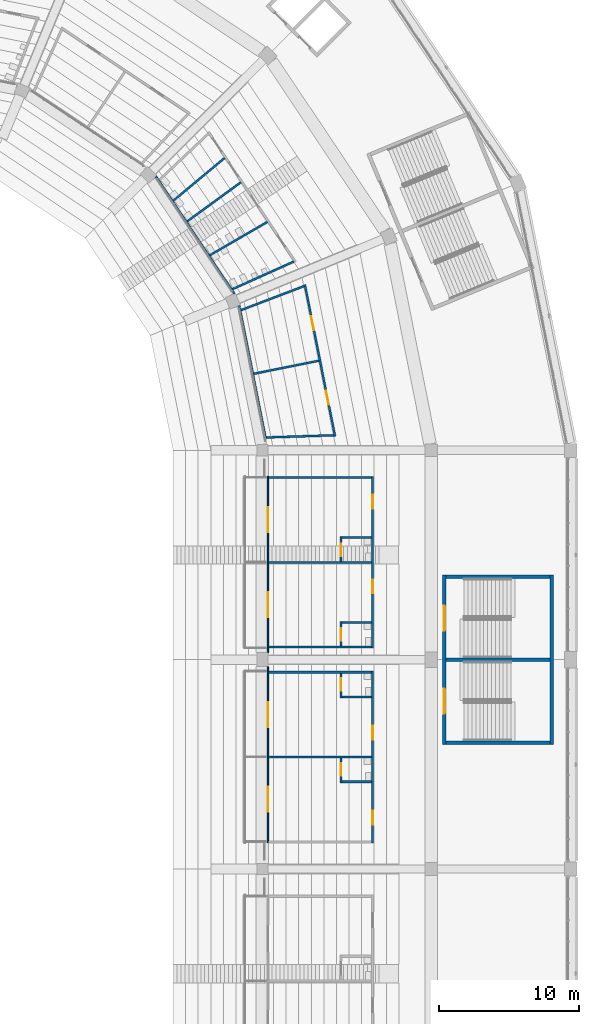
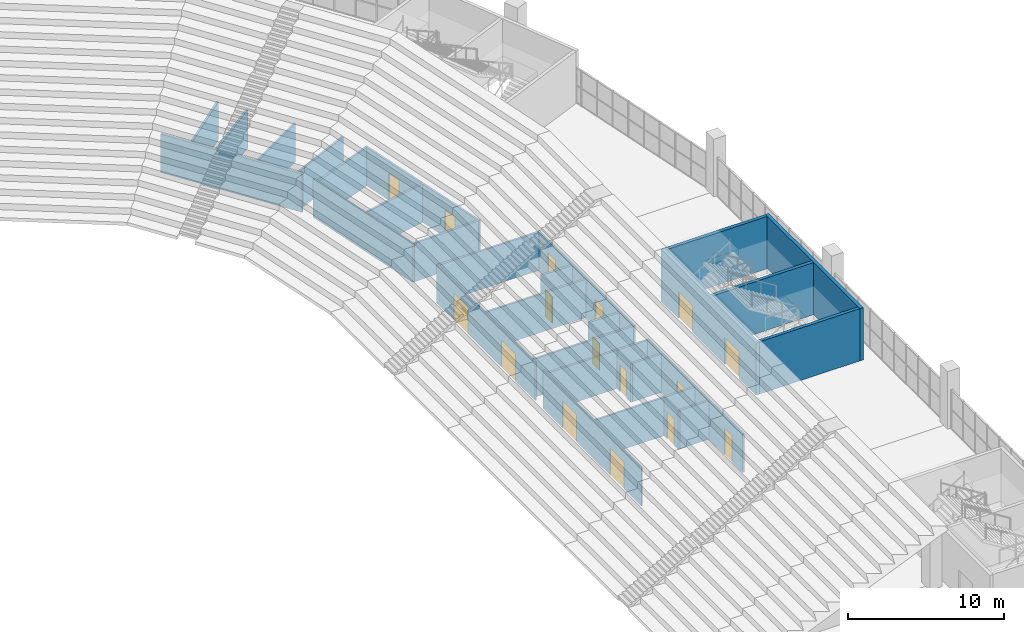
# One storey, part 98 of 249: 32 walls, 16 doors, 16 openings.
"""IFC4 building model written with IfcOpenShell, lengths in metres."""

from ifc_helpers import new_model, si_unit, direction, frame, frame_2d, origin, place, context, subcontext, project, spatial, rectangle, extrude, material, layer, layer_set, type_object, element, fill, save


model = new_model("IFC4")

# Units and contexts
model_context = context("Model", 3, precision=1e-05, world=origin(), true_north=direction((0.0, 1.0)))
body_context = subcontext(model_context, "Body", "Model", "MODEL_VIEW")
ifc_project = project(units=[si_unit("LENGTHUNIT", "METRE"), si_unit("AREAUNIT", "SQUARE_METRE"), si_unit("VOLUMEUNIT", "CUBIC_METRE"), si_unit("PLANEANGLEUNIT", "RADIAN"), si_unit("MASSUNIT", "GRAM", prefix="KILO")], contexts=[model_context])

# Site, building, storey
site_placement = place(None, origin())
site = spatial("IfcSite", under=ifc_project, at=site_placement, CompositionType="ELEMENT")
building_placement = place(site_placement, origin())
building = spatial("IfcBuilding", under=site, at=building_placement, Name="Ogive Plaza Stadium", CompositionType="ELEMENT")
storey_placement = place(building_placement, frame((0.0, 0.0, 13.5)))
storey = spatial("IfcBuildingStorey", under=building, at=storey_placement, Name="L03", CompositionType="ELEMENT", Elevation=13.5)

# Wall, openings, doors
ifc_material_1 = material(Name="Masonry blockwork", Category="masonry")
ifc_layer_1 = layer(ifc_material_1, 0.14990234375)
ifc_layer_set_1 = layer_set([ifc_layer_1], Name="Blockwork wall 150")
wall_type_1 = type_object("IfcWallType", Name="Blockwork wall 150", PredefinedType="SOLIDWALL", material=ifc_layer_set_1)
wall_1_placement = place(storey_placement, frame((69.800048828125, 38.324951171875, 0.0), z_axis=(0.0, 0.0, 1.0), x_axis=(0.0, 1.0, 0.0)))
wall_1 = element("IfcWall", 1, at=wall_1_placement, inside=storey, type_object=wall_type_1, Name="Wall L03 B01", PredefinedType="SOLIDWALL", context=body_context, shape_type="SweptSolid", body=[
    extrude(rectangle(XDim=12.300048828125, YDim=0.14990234375, at=frame_2d((6.14990234375, 0.0))), origin(), (0.0, 0.0, 1.0), 3.0),
])
opening_1_placement = place(wall_1_placement, frame((3.916015625, 0.0, 0.0)))
opening_1 = element("IfcOpeningElement", 2, at=opening_1_placement, cuts=wall_1, Name="Opening D0749", PredefinedType="OPENING", context=body_context, shape_type="SweptSolid", body=[
    extrude(rectangle(XDim=1.0, YDim=2.10009765625, at=frame_2d((0.5, 1.050048828125))), frame((0.0, 0.074951171875, 0.0), z_axis=(0.0, -1.0, 0.0), x_axis=(1.0, 0.0, 0.0)), (0.0, 0.0, 1.0), 0.14990234375),
])
opening_2_placement = place(wall_1_placement, frame((9.990966796875, 0.0, 0.0)))
opening_2 = element("IfcOpeningElement", 3, at=opening_2_placement, cuts=wall_1, Name="Opening D0750", PredefinedType="OPENING", context=body_context, shape_type="SweptSolid", body=[
    extrude(rectangle(XDim=1.0, YDim=2.10009765625, at=frame_2d((0.5, 1.050048828125))), frame((0.0, 0.074951171875, 0.0), z_axis=(0.0, -1.0, 0.0), x_axis=(1.0, 0.0, 0.0)), (0.0, 0.0, 1.0), 0.14990234375),
])
ifc_material_2 = material(Name="Steel ASTM A572 Grade 50", Category="steel")
door_type_1 = type_object("IfcDoorType", Name="Fire door FD30S 1000 x 2100", OperationType="SINGLE_SWING_LEFT", PredefinedType="DOOR", material=ifc_material_2)
door_1_placement = place(opening_1_placement, origin())
door_1 = element("IfcDoor", 4, at=door_1_placement, inside=storey, type_object=door_type_1, Name="Hospitality Suite B01 door", OperationType="SINGLE_SWING_LEFT", OverallHeight=2.10009765625, OverallWidth=1.0, PredefinedType="DOOR", context=body_context, shape_type="SweptSolid", body=[
    extrude(rectangle(XDim=1.0, YDim=2.10009765625, at=frame_2d((0.5, 1.050048828125))), frame((0.0, 0.02490234375, 0.0), z_axis=(0.0, -1.0, 0.0), x_axis=(1.0, 0.0, 0.0)), (0.0, 0.0, 1.0), 0.050048828125),
])
fill(opening_1, door_1)
door_2_placement = place(opening_2_placement, origin())
door_2 = element("IfcDoor", 5, at=door_2_placement, inside=storey, type_object=door_type_1, Name="Hospitality Suite B01 door", OperationType="SINGLE_SWING_LEFT", OverallHeight=2.10009765625, OverallWidth=1.0, PredefinedType="DOOR", context=body_context, shape_type="SweptSolid", body=[
    extrude(rectangle(XDim=1.0, YDim=2.10009765625, at=frame_2d((0.5, 1.050048828125))), frame((0.0, 0.02490234375, 0.0), z_axis=(0.0, -1.0, 0.0), x_axis=(1.0, 0.0, 0.0)), (0.0, 0.0, 1.0), 0.050048828125),
])
fill(opening_2, door_2)

# Walls
for number, where, z_axis, x_axis, name in (
    (6, (62.35009765625, 38.39990234375, 0.0), (0.0, 0.0, 1.0), (1.0, 0.0, 0.0), "Wall L03 B01"),
    (7, (62.35009765625, 44.47509765625, 0.0), (0.0, 0.0, 1.0), (1.0, 0.0, 0.0), "Wall L03 B01"),
    (8, (62.35009765625, 50.550048828125, 0.0), (0.0, 0.0, 1.0), (1.0, 0.0, 0.0), "Wall L03 B01"),
):
    element("IfcWall", number, at=place(storey_placement, frame(where, z_axis=z_axis, x_axis=x_axis)), inside=storey, type_object=wall_type_1, Name=name, PredefinedType="SOLIDWALL", context=body_context, shape_type="SweptSolid", body=[
        extrude(rectangle(XDim=7.375, YDim=0.14990234375, at=frame_2d((3.6875, 0.0))), origin(), (0.0, 0.0, 1.0), 3.0),
    ])

# Wall, openings, doors
wall_2_placement = place(storey_placement, frame((69.800048828125, 36.675048828125, 0.0), z_axis=(0.0, 0.0, 1.0), x_axis=(0.0, -1.0, 0.0)))
wall_2 = element("IfcWall", 9, at=wall_2_placement, inside=storey, type_object=wall_type_1, Name="Wall L03 B02", PredefinedType="SOLIDWALL", context=body_context, shape_type="SweptSolid", body=[
    extrude(rectangle(XDim=12.300048828125, YDim=0.14990234375, at=frame_2d((6.14990234375, 0.0))), origin(), (0.0, 0.0, 1.0), 3.0),
])
opening_3_placement = place(wall_2_placement, frame((3.916015625, 0.0, 0.0)))
opening_3 = element("IfcOpeningElement", 10, at=opening_3_placement, cuts=wall_2, Name="Opening D0755", PredefinedType="OPENING", context=body_context, shape_type="SweptSolid", body=[
    extrude(rectangle(XDim=1.0, YDim=2.10009765625, at=frame_2d((0.5, 1.050048828125))), frame((0.0, 0.074951171875, 0.0), z_axis=(0.0, -1.0, 0.0), x_axis=(1.0, 0.0, 0.0)), (0.0, 0.0, 1.0), 0.14990234375),
])
opening_4_placement = place(wall_2_placement, frame((9.990966796875, 0.0, 0.0)))
opening_4 = element("IfcOpeningElement", 11, at=opening_4_placement, cuts=wall_2, Name="Opening D0756", PredefinedType="OPENING", context=body_context, shape_type="SweptSolid", body=[
    extrude(rectangle(XDim=1.0, YDim=2.10009765625, at=frame_2d((0.5, 1.050048828125))), frame((0.0, 0.074951171875, 0.0), z_axis=(0.0, -1.0, 0.0), x_axis=(1.0, 0.0, 0.0)), (0.0, 0.0, 1.0), 0.14990234375),
])
door_3_placement = place(opening_3_placement, origin())
door_3 = element("IfcDoor", 12, at=door_3_placement, inside=storey, type_object=door_type_1, Name="Hospitality Suite B02 door", OperationType="SINGLE_SWING_RIGHT", OverallHeight=2.10009765625, OverallWidth=1.0, PredefinedType="DOOR", context=body_context, shape_type="SweptSolid", body=[
    extrude(rectangle(XDim=1.0, YDim=2.10009765625, at=frame_2d((0.5, 1.050048828125))), frame((0.0, 0.02490234375, 0.0), z_axis=(0.0, -1.0, 0.0), x_axis=(1.0, 0.0, 0.0)), (0.0, 0.0, 1.0), 0.050048828125),
])
fill(opening_3, door_3)
door_4_placement = place(opening_4_placement, origin())
door_4 = element("IfcDoor", 13, at=door_4_placement, inside=storey, type_object=door_type_1, Name="Hospitality Suite B02 door", OperationType="SINGLE_SWING_RIGHT", OverallHeight=2.10009765625, OverallWidth=1.0, PredefinedType="DOOR", context=body_context, shape_type="SweptSolid", body=[
    extrude(rectangle(XDim=1.0, YDim=2.10009765625, at=frame_2d((0.5, 1.050048828125))), frame((0.0, 0.02490234375, 0.0), z_axis=(0.0, -1.0, 0.0), x_axis=(1.0, 0.0, 0.0)), (0.0, 0.0, 1.0), 0.050048828125),
])
fill(opening_4, door_4)

# Walls
for number, where, z_axis, x_axis, name in (
    (14, (62.35009765625, 36.60009765625, 0.0), (0.0, 0.0, 1.0), (1.0, 0.0, 0.0), "Wall L03 B02"),
    (15, (62.35009765625, 30.52490234375, 0.0), (0.0, 0.0, 1.0), (1.0, 0.0, 0.0), "Wall L03 B02"),
):
    element("IfcWall", number, at=place(storey_placement, frame(where, z_axis=z_axis, x_axis=x_axis)), inside=storey, type_object=wall_type_1, Name=name, PredefinedType="SOLIDWALL", context=body_context, shape_type="SweptSolid", body=[
        extrude(rectangle(XDim=7.375, YDim=0.14990234375, at=frame_2d((3.6875, 0.0))), origin(), (0.0, 0.0, 1.0), 3.0),
    ])
wall_3_placement = place(storey_placement, frame((60.2353515625, 62.8798828125, 0.0), z_axis=(0.0, 0.0, 1.0), x_axis=(0.19508210738, -0.98078691436, 0.0)))
element("IfcWall", 16, at=wall_3_placement, inside=storey, type_object=wall_type_1, Name="Wall L03 B40", PredefinedType="SOLIDWALL", context=body_context, shape_type="SweptSolid", body=[
    extrude(rectangle(XDim=9.7177734375, YDim=0.14990234375, at=frame_2d((4.85888671875, 0.0))), origin(), (0.0, 0.0, 1.0), 3.0),
])

# Wall, openings, doors
wall_4_placement = place(storey_placement, frame((64.939208984375, 64.36865234375, 0.0), z_axis=(0.0, 0.0, 1.0), x_axis=(0.195090821685, -0.980785181013, 0.0)))
wall_4 = element("IfcWall", 17, at=wall_4_placement, inside=storey, type_object=wall_type_1, Name="Wall L03 B40", PredefinedType="SOLIDWALL", context=body_context, shape_type="SweptSolid", body=[
    extrude(rectangle(XDim=11.08251953125, YDim=0.14990234375, at=frame_2d((5.541259765625, 0.0))), origin(), (0.0, 0.0, 1.0), 3.0),
])
opening_5_placement = place(wall_4_placement, frame((2.311279296875, 0.0, 0.0)))
opening_5 = element("IfcOpeningElement", 18, at=opening_5_placement, cuts=wall_4, Name="Opening D0899", PredefinedType="OPENING", context=body_context, shape_type="SweptSolid", body=[
    extrude(rectangle(XDim=1.0, YDim=2.10009765625, at=frame_2d((0.5, 1.050048828125))), frame((0.0, 0.074951171875, 0.0), z_axis=(0.0, -1.0, 0.0), x_axis=(1.0, 0.0, 0.0)), (0.0, 0.0, 1.0), 0.14990234375),
])
opening_6_placement = place(wall_4_placement, frame((7.771240234375, 0.0, 0.0)))
opening_6 = element("IfcOpeningElement", 19, at=opening_6_placement, cuts=wall_4, Name="Opening D0900", PredefinedType="OPENING", context=body_context, shape_type="SweptSolid", body=[
    extrude(rectangle(XDim=1.0, YDim=2.10009765625, at=frame_2d((0.5, 1.050048828125))), frame((0.0, 0.074951171875, 0.0), z_axis=(0.0, -1.0, 0.0), x_axis=(1.0, 0.0, 0.0)), (0.0, 0.0, 1.0), 0.14990234375),
])
ifc_material_3 = material(Name="Steel ASTM A572 Grade 50", Category="steel")
door_type_2 = type_object("IfcDoorType", Name="Fire door FD60 1000 x 2100", OperationType="SINGLE_SWING_LEFT", PredefinedType="DOOR", material=ifc_material_3)
door_5_placement = place(opening_5_placement, origin())
door_5 = element("IfcDoor", 20, at=door_5_placement, inside=storey, type_object=door_type_2, Name="Hospitality Pantry B40 door", OperationType="SINGLE_SWING_LEFT", OverallHeight=2.10009765625, OverallWidth=1.0, PredefinedType="DOOR", context=body_context, shape_type="SweptSolid", body=[
    extrude(rectangle(XDim=1.0, YDim=2.10009765625, at=frame_2d((0.5, 1.050048828125))), frame((0.0, 0.02490234375, 0.0), z_axis=(0.0, -1.0, 0.0), x_axis=(1.0, 0.0, 0.0)), (0.0, 0.0, 1.0), 0.050048828125),
])
fill(opening_5, door_5)
door_6_placement = place(opening_6_placement, origin())
door_6 = element("IfcDoor", 21, at=door_6_placement, inside=storey, type_object=door_type_2, Name="Hospitality Store B40 door", OperationType="SINGLE_SWING_RIGHT", OverallHeight=2.10009765625, OverallWidth=1.0, PredefinedType="DOOR", context=body_context, shape_type="SweptSolid", body=[
    extrude(rectangle(XDim=1.0, YDim=2.10009765625, at=frame_2d((0.5, 1.050048828125))), frame((0.0, 0.02490234375, 0.0), z_axis=(0.0, -1.0, 0.0), x_axis=(1.0, 0.0, 0.0)), (0.0, 0.0, 1.0), 0.050048828125),
])
fill(opening_6, door_6)

# Walls
wall_5_placement = place(storey_placement, frame((60.376953125, 62.54541015625, 0.0), z_axis=(0.0, 0.0, 1.0), x_axis=(0.934515791561, 0.355921670207, 0.0)))
element("IfcWall", 22, at=wall_5_placement, inside=storey, type_object=wall_type_1, Name="Wall L03 B40", PredefinedType="SOLIDWALL", context=body_context, shape_type="SweptSolid", body=[
    extrude(rectangle(XDim=4.82421875, YDim=0.14990234375, at=frame_2d((2.412109375, 0.0))), origin(), (0.0, 0.0, 1.0), 3.0),
])
wall_6_placement = place(storey_placement, frame((61.284423828125, 57.982177734375, 0.0), z_axis=(0.0, 0.0, 1.0), x_axis=(0.980408567663, 0.196974720342, 0.0)))
element("IfcWall", 23, at=wall_6_placement, inside=storey, type_object=wall_type_1, Name="Wall L03 B40", PredefinedType="SOLIDWALL", context=body_context, shape_type="SweptSolid", body=[
    extrude(rectangle(XDim=4.757080078125, YDim=0.14990234375, at=frame_2d((2.37841796875, 0.0))), origin(), (0.0, 0.0, 1.0), 3.0),
])
wall_7_placement = place(storey_placement, frame((62.192138671875, 53.4189453125, 0.0), z_axis=(0.0, 0.0, 1.0), x_axis=(0.999469799468, 0.032559483284, 0.0)))
element("IfcWall", 24, at=wall_7_placement, inside=storey, type_object=wall_type_1, Name="Wall L03 B40", PredefinedType="SOLIDWALL", context=body_context, shape_type="SweptSolid", body=[
    extrude(rectangle(XDim=4.8212890625, YDim=0.14990234375, at=frame_2d((2.41064453125, 0.0))), origin(), (0.0, 0.0, 1.0), 3.0),
])

# Wall, openings, doors
ifc_material_4 = material(Name="Concrete C40/50", Category="concrete")
ifc_layer_2 = layer(ifc_material_4, 0.25)
ifc_layer_set_2 = layer_set([ifc_layer_2], Name="Concrete C40/50")
wall_type_2 = type_object("IfcWallType", Name="Core wall 250", PredefinedType="SHEAR", material=ifc_layer_set_2)
wall_8_placement = place(storey_placement, frame((74.925048828125, 31.425048828125, 0.0), z_axis=(0.0, 0.0, 1.0), x_axis=(0.0, 1.0, 0.0)))
wall_8 = element("IfcWall", 25, at=wall_8_placement, inside=storey, type_object=wall_type_2, Name="Stair core R02 inner wall", PredefinedType="SHEAR", context=body_context, shape_type="SweptSolid", body=[
    extrude(rectangle(XDim=12.14990234375, YDim=0.25, at=frame_2d((6.074951171875, 0.0))), origin(), (0.0, 0.0, 1.0), 4.090087890625),
])
opening_7_placement = place(wall_8_placement, frame((2.199951171875, 0.0, 0.0)))
opening_7 = element("IfcOpeningElement", 26, at=opening_7_placement, cuts=wall_8, Name="Opening D0049", PredefinedType="OPENING", context=body_context, shape_type="SweptSolid", body=[
    extrude(rectangle(XDim=1.800048828125, YDim=2.10009765625, at=frame_2d((0.89990234375, 1.050048828125))), frame((0.0, 0.125, 0.0), z_axis=(0.0, -1.0, 0.0), x_axis=(1.0, 0.0, 0.0)), (0.0, 0.0, 1.0), 0.25),
])
opening_8_placement = place(wall_8_placement, frame((8.14990234375, 0.0, 0.0)))
opening_8 = element("IfcOpeningElement", 27, at=opening_8_placement, cuts=wall_8, Name="Opening D0050", PredefinedType="OPENING", context=body_context, shape_type="SweptSolid", body=[
    extrude(rectangle(XDim=1.800048828125, YDim=2.10009765625, at=frame_2d((0.89990234375, 1.050048828125))), frame((0.0, 0.125, 0.0), z_axis=(0.0, -1.0, 0.0), x_axis=(1.0, 0.0, 0.0)), (0.0, 0.0, 1.0), 0.25),
])
ifc_material_5 = material(Name="Steel ASTM A572 Grade 50", Category="steel")
door_type_3 = type_object("IfcDoorType", Name="Fire door FD90 pair 1800 x 2100", OperationType="DOUBLE_DOOR_SINGLE_SWING", PredefinedType="DOOR", material=ifc_material_5)
door_7_placement = place(opening_7_placement, origin())
door_7 = element("IfcDoor", 28, at=door_7_placement, inside=storey, type_object=door_type_3, Name="Exit stair R02A door L03", OperationType="DOUBLE_DOOR_SINGLE_SWING", OverallHeight=2.10009765625, OverallWidth=1.800048828125, PredefinedType="DOOR", context=body_context, shape_type="SweptSolid", body=[
    extrude(rectangle(XDim=1.800048828125, YDim=2.10009765625, at=frame_2d((0.89990234375, 1.050048828125))), frame((0.0, 0.02490234375, 0.0), z_axis=(0.0, -1.0, 0.0), x_axis=(1.0, 0.0, 0.0)), (0.0, 0.0, 1.0), 0.050048828125),
])
fill(opening_7, door_7)
door_8_placement = place(opening_8_placement, origin())
door_8 = element("IfcDoor", 29, at=door_8_placement, inside=storey, type_object=door_type_3, Name="Exit stair R02B door L03", OperationType="DOUBLE_DOOR_SINGLE_SWING", OverallHeight=2.10009765625, OverallWidth=1.800048828125, PredefinedType="DOOR", context=body_context, shape_type="SweptSolid", body=[
    extrude(rectangle(XDim=1.800048828125, YDim=2.10009765625, at=frame_2d((0.89990234375, 1.050048828125))), frame((0.0, 0.02490234375, 0.0), z_axis=(0.0, -1.0, 0.0), x_axis=(1.0, 0.0, 0.0)), (0.0, 0.0, 1.0), 0.050048828125),
])
fill(opening_8, door_8)

# Walls
wall_9_placement = place(storey_placement, frame((82.635009765625, 31.425048828125, 0.0), z_axis=(0.0, 0.0, 1.0), x_axis=(0.0, 1.0, 0.0)))
element("IfcWall", 30, at=wall_9_placement, inside=storey, type_object=wall_type_2, Name="Stair core R02 outer wall", PredefinedType="SHEAR", context=body_context, shape_type="SweptSolid", body=[
    extrude(rectangle(XDim=12.14990234375, YDim=0.25, at=frame_2d((6.074951171875, 0.0))), origin(), (0.0, 0.0, 1.0), 4.090087890625),
])
for number, where, z_axis, x_axis, name in (
    (31, (75.050048828125, 31.550048828125, 0.0), (0.0, 0.0, 1.0), (1.0, 0.0, 0.0), "Stair core R02 side wall"),
    (32, (75.050048828125, 43.449951171875, 0.0), (0.0, 0.0, 1.0), (1.0, 0.0, 0.0), "Stair core R02 side wall"),
    (33, (75.050048828125, 37.5, 0.0), (0.0, 0.0, 1.0), (1.0, 0.0, 0.0), "Stair core R02 centre wall"),
):
    element("IfcWall", number, at=place(storey_placement, frame(where, z_axis=z_axis, x_axis=x_axis)), inside=storey, type_object=wall_type_2, Name=name, PredefinedType="SHEAR", context=body_context, shape_type="SweptSolid", body=[
        extrude(rectangle(XDim=7.4599609375, YDim=0.25, at=frame_2d((3.72998046875, 0.0))), origin(), (0.0, 0.0, 1.0), 4.090087890625),
    ])

# Wall, openings, doors
ifc_material_6 = material(Name="Laminated glass in aluminium frame", Category="aluminium")
ifc_layer_3 = layer(ifc_material_6, 0.10009765625)
ifc_layer_set_3 = layer_set([ifc_layer_3], Name="Glazed partition 100")
wall_type_3 = type_object("IfcWallType", Name="Glazed partition 100", PredefinedType="PARTITIONING", material=ifc_layer_set_3)
wall_10_placement = place(storey_placement, frame((62.300048828125, 38.0, 0.0), z_axis=(0.0, 0.0, 1.0), x_axis=(0.0, 1.0, 0.0)))
wall_10 = element("IfcWall", 34, at=wall_10_placement, inside=storey, type_object=wall_type_3, Name="Wall L03 B01", PredefinedType="PARTITIONING", context=body_context, shape_type="SweptSolid", body=[
    extrude(rectangle(XDim=12.625, YDim=0.10009765625, at=frame_2d((6.3125, 0.0))), origin(), (0.0, 0.0, 1.0), 3.0),
])
opening_9_placement = place(wall_10_placement, frame((2.53759765625, 0.0, 0.0)))
opening_9 = element("IfcOpeningElement", 35, at=opening_9_placement, cuts=wall_10, Name="Opening D0751", PredefinedType="OPENING", context=body_context, shape_type="SweptSolid", body=[
    extrude(rectangle(XDim=1.800048828125, YDim=2.10009765625, at=frame_2d((0.89990234375, 1.050048828125))), frame((0.0, 0.050048828125, 0.0), z_axis=(0.0, -1.0, 0.0), x_axis=(1.0, 0.0, 0.0)), (0.0, 0.0, 1.0), 0.10009765625),
])
opening_10_placement = place(wall_10_placement, frame((8.612548828125, 0.0, 0.0)))
opening_10 = element("IfcOpeningElement", 36, at=opening_10_placement, cuts=wall_10, Name="Opening D0752", PredefinedType="OPENING", context=body_context, shape_type="SweptSolid", body=[
    extrude(rectangle(XDim=1.800048828125, YDim=2.10009765625, at=frame_2d((0.89990234375, 1.050048828125))), frame((0.0, 0.050048828125, 0.0), z_axis=(0.0, -1.0, 0.0), x_axis=(1.0, 0.0, 0.0)), (0.0, 0.0, 1.0), 0.10009765625),
])
ifc_material_7 = material(Name="Steel ASTM A572 Grade 50", Category="steel")
door_type_4 = type_object("IfcDoorType", Name="Door pair 1800 x 2100", OperationType="DOUBLE_DOOR_SINGLE_SWING", PredefinedType="DOOR", material=ifc_material_7)
door_9_placement = place(opening_9_placement, origin())
door_9 = element("IfcDoor", 37, at=door_9_placement, inside=storey, type_object=door_type_4, Name="Suite terrace door B01", OperationType="DOUBLE_DOOR_SINGLE_SWING", OverallHeight=2.10009765625, OverallWidth=1.800048828125, PredefinedType="DOOR", context=body_context, shape_type="SweptSolid", body=[
    extrude(rectangle(XDim=1.800048828125, YDim=2.10009765625, at=frame_2d((0.89990234375, 1.050048828125))), frame((0.0, 0.02490234375, 0.0), z_axis=(0.0, -1.0, 0.0), x_axis=(1.0, 0.0, 0.0)), (0.0, 0.0, 1.0), 0.050048828125),
])
fill(opening_9, door_9)
door_10_placement = place(opening_10_placement, origin())
door_10 = element("IfcDoor", 38, at=door_10_placement, inside=storey, type_object=door_type_4, Name="Suite terrace door B01", OperationType="DOUBLE_DOOR_SINGLE_SWING", OverallHeight=2.10009765625, OverallWidth=1.800048828125, PredefinedType="DOOR", context=body_context, shape_type="SweptSolid", body=[
    extrude(rectangle(XDim=1.800048828125, YDim=2.10009765625, at=frame_2d((0.89990234375, 1.050048828125))), frame((0.0, 0.02490234375, 0.0), z_axis=(0.0, -1.0, 0.0), x_axis=(1.0, 0.0, 0.0)), (0.0, 0.0, 1.0), 0.050048828125),
])
fill(opening_10, door_10)

wall_11_placement = place(storey_placement, frame((62.300048828125, 37.0, 0.0), z_axis=(0.0, 0.0, 1.0), x_axis=(0.0, -1.0, 0.0)))
wall_11 = element("IfcWall", 39, at=wall_11_placement, inside=storey, type_object=wall_type_3, Name="Wall L03 B02", PredefinedType="PARTITIONING", context=body_context, shape_type="SweptSolid", body=[
    extrude(rectangle(XDim=12.625, YDim=0.10009765625, at=frame_2d((6.3125, 0.0))), origin(), (0.0, 0.0, 1.0), 3.0),
])
opening_11_placement = place(wall_11_placement, frame((2.53759765625, 0.0, 0.0)))
opening_11 = element("IfcOpeningElement", 40, at=opening_11_placement, cuts=wall_11, Name="Opening D0757", PredefinedType="OPENING", context=body_context, shape_type="SweptSolid", body=[
    extrude(rectangle(XDim=1.800048828125, YDim=2.10009765625, at=frame_2d((0.89990234375, 1.050048828125))), frame((0.0, 0.050048828125, 0.0), z_axis=(0.0, -1.0, 0.0), x_axis=(1.0, 0.0, 0.0)), (0.0, 0.0, 1.0), 0.10009765625),
])
opening_12_placement = place(wall_11_placement, frame((8.612548828125, 0.0, 0.0)))
opening_12 = element("IfcOpeningElement", 41, at=opening_12_placement, cuts=wall_11, Name="Opening D0758", PredefinedType="OPENING", context=body_context, shape_type="SweptSolid", body=[
    extrude(rectangle(XDim=1.800048828125, YDim=2.10009765625, at=frame_2d((0.89990234375, 1.050048828125))), frame((0.0, 0.050048828125, 0.0), z_axis=(0.0, -1.0, 0.0), x_axis=(1.0, 0.0, 0.0)), (0.0, 0.0, 1.0), 0.10009765625),
])
door_11_placement = place(opening_11_placement, origin())
door_11 = element("IfcDoor", 42, at=door_11_placement, inside=storey, type_object=door_type_4, Name="Suite terrace door B02", OperationType="DOUBLE_DOOR_SINGLE_SWING", OverallHeight=2.10009765625, OverallWidth=1.800048828125, PredefinedType="DOOR", context=body_context, shape_type="SweptSolid", body=[
    extrude(rectangle(XDim=1.800048828125, YDim=2.10009765625, at=frame_2d((0.89990234375, 1.050048828125))), frame((0.0, 0.02490234375, 0.0), z_axis=(0.0, -1.0, 0.0), x_axis=(1.0, 0.0, 0.0)), (0.0, 0.0, 1.0), 0.050048828125),
])
fill(opening_11, door_11)
door_12_placement = place(opening_12_placement, origin())
door_12 = element("IfcDoor", 43, at=door_12_placement, inside=storey, type_object=door_type_4, Name="Suite terrace door B02", OperationType="DOUBLE_DOOR_SINGLE_SWING", OverallHeight=2.10009765625, OverallWidth=1.800048828125, PredefinedType="DOOR", context=body_context, shape_type="SweptSolid", body=[
    extrude(rectangle(XDim=1.800048828125, YDim=2.10009765625, at=frame_2d((0.89990234375, 1.050048828125))), frame((0.0, 0.02490234375, 0.0), z_axis=(0.0, -1.0, 0.0), x_axis=(1.0, 0.0, 0.0)), (0.0, 0.0, 1.0), 0.050048828125),
])
fill(opening_12, door_12)

# Wall, opening, door
ifc_material_8 = material(Name="Gypsum board partition", Category="gypsum")
ifc_layer_4 = layer(ifc_material_8, 0.14990234375)
ifc_layer_set_4 = layer_set([ifc_layer_4], Name="Partition 150")
wall_type_4 = type_object("IfcWallType", Name="Partition 150", PredefinedType="PARTITIONING", material=ifc_layer_set_4)
wall_12_placement = place(storey_placement, frame((67.52490234375, 38.47509765625, 0.0), z_axis=(0.0, 0.0, 1.0), x_axis=(0.0, 1.0, 0.0)))
wall_12 = element("IfcWall", 44, at=wall_12_placement, inside=storey, type_object=wall_type_4, Name="Wall L03 B01", PredefinedType="PARTITIONING", context=body_context, shape_type="SweptSolid", body=[
    extrude(rectangle(XDim=1.77490234375, YDim=0.14990234375, at=frame_2d((0.887451171875, 0.0))), origin(), (0.0, 0.0, 1.0), 3.0),
])
opening_13_placement = place(wall_12_placement, frame((0.362548828125, 0.0, 0.0)))
opening_13 = element("IfcOpeningElement", 45, at=opening_13_placement, cuts=wall_12, Name="Opening D0753", PredefinedType="OPENING", context=body_context, shape_type="SweptSolid", body=[
    extrude(rectangle(XDim=0.89990234375, YDim=2.10009765625, at=frame_2d((0.449951171875, 1.050048828125))), frame((0.0, 0.074951171875, 0.0), z_axis=(0.0, -1.0, 0.0), x_axis=(1.0, 0.0, 0.0)), (0.0, 0.0, 1.0), 0.14990234375),
])
ifc_material_9 = material(Name="Steel ASTM A572 Grade 50", Category="steel")
door_type_5 = type_object("IfcDoorType", Name="Door 900 x 2100", OperationType="SINGLE_SWING_LEFT", PredefinedType="DOOR", material=ifc_material_9)
door_13_placement = place(opening_13_placement, origin())
door_13 = element("IfcDoor", 46, at=door_13_placement, inside=storey, type_object=door_type_5, Name="Suite WC B01 door", OperationType="SINGLE_SWING_RIGHT", OverallHeight=2.10009765625, OverallWidth=0.89990234375, PredefinedType="DOOR", context=body_context, shape_type="SweptSolid", body=[
    extrude(rectangle(XDim=0.89990234375, YDim=2.10009765625, at=frame_2d((0.449951171875, 1.050048828125))), frame((0.0, 0.02490234375, 0.0), z_axis=(0.0, -1.0, 0.0), x_axis=(1.0, 0.0, 0.0)), (0.0, 0.0, 1.0), 0.050048828125),
])
fill(opening_13, door_13)

# Wall
wall_13_placement = place(storey_placement, frame((67.60009765625, 40.175048828125, 0.0), z_axis=(0.0, 0.0, 1.0), x_axis=(1.0, 0.0, 0.0)))
element("IfcWall", 47, at=wall_13_placement, inside=storey, type_object=wall_type_4, Name="Wall L03 B01", PredefinedType="PARTITIONING", context=body_context, shape_type="SweptSolid", body=[
    extrude(rectangle(XDim=2.125, YDim=0.14990234375, at=frame_2d((1.0625, 0.0))), origin(), (0.0, 0.0, 1.0), 3.0),
])

# Wall, opening, door
wall_14_placement = place(storey_placement, frame((67.52490234375, 44.550048828125, 0.0), z_axis=(0.0, 0.0, 1.0), x_axis=(0.0, 1.0, 0.0)))
wall_14 = element("IfcWall", 48, at=wall_14_placement, inside=storey, type_object=wall_type_4, Name="Wall L03 B01", PredefinedType="PARTITIONING", context=body_context, shape_type="SweptSolid", body=[
    extrude(rectangle(XDim=1.77490234375, YDim=0.14990234375, at=frame_2d((0.887451171875, 0.0))), origin(), (0.0, 0.0, 1.0), 3.0),
])
opening_14_placement = place(wall_14_placement, frame((0.362548828125, 0.0, 0.0)))
opening_14 = element("IfcOpeningElement", 49, at=opening_14_placement, cuts=wall_14, Name="Opening D0754", PredefinedType="OPENING", context=body_context, shape_type="SweptSolid", body=[
    extrude(rectangle(XDim=0.89990234375, YDim=2.10009765625, at=frame_2d((0.449951171875, 1.050048828125))), frame((0.0, 0.074951171875, 0.0), z_axis=(0.0, -1.0, 0.0), x_axis=(1.0, 0.0, 0.0)), (0.0, 0.0, 1.0), 0.14990234375),
])
door_14_placement = place(opening_14_placement, origin())
door_14 = element("IfcDoor", 50, at=door_14_placement, inside=storey, type_object=door_type_5, Name="Suite WC B01 door", OperationType="SINGLE_SWING_LEFT", OverallHeight=2.10009765625, OverallWidth=0.89990234375, PredefinedType="DOOR", context=body_context, shape_type="SweptSolid", body=[
    extrude(rectangle(XDim=0.89990234375, YDim=2.10009765625, at=frame_2d((0.449951171875, 1.050048828125))), frame((0.0, 0.02490234375, 0.0), z_axis=(0.0, -1.0, 0.0), x_axis=(1.0, 0.0, 0.0)), (0.0, 0.0, 1.0), 0.050048828125),
])
fill(opening_14, door_14)

# Wall
wall_15_placement = place(storey_placement, frame((67.60009765625, 46.25, 0.0), z_axis=(0.0, 0.0, 1.0), x_axis=(1.0, 0.0, 0.0)))
element("IfcWall", 51, at=wall_15_placement, inside=storey, type_object=wall_type_4, Name="Wall L03 B01", PredefinedType="PARTITIONING", context=body_context, shape_type="SweptSolid", body=[
    extrude(rectangle(XDim=2.125, YDim=0.14990234375, at=frame_2d((1.0625, 0.0))), origin(), (0.0, 0.0, 1.0), 3.0),
])

# Wall, opening, door
wall_16_placement = place(storey_placement, frame((67.52490234375, 36.52490234375, 0.0), z_axis=(0.0, 0.0, 1.0), x_axis=(0.0, -1.0, 0.0)))
wall_16 = element("IfcWall", 52, at=wall_16_placement, inside=storey, type_object=wall_type_4, Name="Wall L03 B02", PredefinedType="PARTITIONING", context=body_context, shape_type="SweptSolid", body=[
    extrude(rectangle(XDim=1.77490234375, YDim=0.14990234375, at=frame_2d((0.887451171875, 0.0))), origin(), (0.0, 0.0, 1.0), 3.0),
])
opening_15_placement = place(wall_16_placement, frame((0.362548828125, 0.0, 0.0)))
opening_15 = element("IfcOpeningElement", 53, at=opening_15_placement, cuts=wall_16, Name="Opening D0759", PredefinedType="OPENING", context=body_context, shape_type="SweptSolid", body=[
    extrude(rectangle(XDim=0.89990234375, YDim=2.10009765625, at=frame_2d((0.449951171875, 1.050048828125))), frame((0.0, 0.074951171875, 0.0), z_axis=(0.0, -1.0, 0.0), x_axis=(1.0, 0.0, 0.0)), (0.0, 0.0, 1.0), 0.14990234375),
])
door_15_placement = place(opening_15_placement, origin())
door_15 = element("IfcDoor", 54, at=door_15_placement, inside=storey, type_object=door_type_5, Name="Suite WC B02 door", OperationType="SINGLE_SWING_LEFT", OverallHeight=2.10009765625, OverallWidth=0.89990234375, PredefinedType="DOOR", context=body_context, shape_type="SweptSolid", body=[
    extrude(rectangle(XDim=0.89990234375, YDim=2.10009765625, at=frame_2d((0.449951171875, 1.050048828125))), frame((0.0, 0.02490234375, 0.0), z_axis=(0.0, -1.0, 0.0), x_axis=(1.0, 0.0, 0.0)), (0.0, 0.0, 1.0), 0.050048828125),
])
fill(opening_15, door_15)

# Wall
wall_17_placement = place(storey_placement, frame((67.60009765625, 34.824951171875, 0.0), z_axis=(0.0, 0.0, 1.0), x_axis=(1.0, 0.0, 0.0)))
element("IfcWall", 55, at=wall_17_placement, inside=storey, type_object=wall_type_4, Name="Wall L03 B02", PredefinedType="PARTITIONING", context=body_context, shape_type="SweptSolid", body=[
    extrude(rectangle(XDim=2.125, YDim=0.14990234375, at=frame_2d((1.0625, 0.0))), origin(), (0.0, 0.0, 1.0), 3.0),
])

# Wall, opening, door
wall_18_placement = place(storey_placement, frame((67.52490234375, 30.449951171875, 0.0), z_axis=(0.0, 0.0, 1.0), x_axis=(0.0, -1.0, 0.0)))
wall_18 = element("IfcWall", 56, at=wall_18_placement, inside=storey, type_object=wall_type_4, Name="Wall L03 B02", PredefinedType="PARTITIONING", context=body_context, shape_type="SweptSolid", body=[
    extrude(rectangle(XDim=1.77490234375, YDim=0.14990234375, at=frame_2d((0.887451171875, 0.0))), origin(), (0.0, 0.0, 1.0), 3.0),
])
opening_16_placement = place(wall_18_placement, frame((0.362548828125, 0.0, 0.0)))
opening_16 = element("IfcOpeningElement", 57, at=opening_16_placement, cuts=wall_18, Name="Opening D0760", PredefinedType="OPENING", context=body_context, shape_type="SweptSolid", body=[
    extrude(rectangle(XDim=0.89990234375, YDim=2.10009765625, at=frame_2d((0.449951171875, 1.050048828125))), frame((0.0, 0.074951171875, 0.0), z_axis=(0.0, -1.0, 0.0), x_axis=(1.0, 0.0, 0.0)), (0.0, 0.0, 1.0), 0.14990234375),
])
door_16_placement = place(opening_16_placement, origin())
door_16 = element("IfcDoor", 58, at=door_16_placement, inside=storey, type_object=door_type_5, Name="Suite WC B02 door", OperationType="SINGLE_SWING_RIGHT", OverallHeight=2.10009765625, OverallWidth=0.89990234375, PredefinedType="DOOR", context=body_context, shape_type="SweptSolid", body=[
    extrude(rectangle(XDim=0.89990234375, YDim=2.10009765625, at=frame_2d((0.449951171875, 1.050048828125))), frame((0.0, 0.02490234375, 0.0), z_axis=(0.0, -1.0, 0.0), x_axis=(1.0, 0.0, 0.0)), (0.0, 0.0, 1.0), 0.050048828125),
])
fill(opening_16, door_16)

# Walls
wall_19_placement = place(storey_placement, frame((67.60009765625, 28.75, 0.0), z_axis=(0.0, 0.0, 1.0), x_axis=(1.0, 0.0, 0.0)))
element("IfcWall", 59, at=wall_19_placement, inside=storey, type_object=wall_type_4, Name="Wall L03 B02", PredefinedType="PARTITIONING", context=body_context, shape_type="SweptSolid", body=[
    extrude(rectangle(XDim=2.125, YDim=0.14990234375, at=frame_2d((1.0625, 0.0))), origin(), (0.0, 0.0, 1.0), 3.0),
])
wall_20_placement = place(storey_placement, frame((59.890869140625, 63.71142578125, 0.0), z_axis=(0.0, 0.0, 1.0), x_axis=(-0.555562437394, 0.83147482112, 0.0)))
element("IfcWall", 60, at=wall_20_placement, inside=storey, type_object=wall_type_4, Name="Wall L03 B39", PredefinedType="PARTITIONING", context=body_context, shape_type="SweptSolid", body=[
    extrude(rectangle(XDim=10.12451171875, YDim=0.14990234375, at=frame_2d((5.062255859375, 0.0))), origin(), (0.0, 0.0, 1.0), 3.0),
])
wall_21_placement = place(storey_placement, frame((59.75439453125, 64.048095703125, 0.0), z_axis=(0.0, 0.0, 1.0), x_axis=(0.912468935825, 0.409145990025, 0.0)))
element("IfcWall", 61, at=wall_21_placement, inside=storey, type_object=wall_type_4, Name="Wall L03 B39", PredefinedType="PARTITIONING", context=body_context, shape_type="SweptSolid", body=[
    extrude(rectangle(XDim=4.824462890625, YDim=0.14990234375, at=frame_2d((2.412109375, 0.0))), origin(), (0.0, 0.0, 1.0), 3.0),
])
wall_22_placement = place(storey_placement, frame((58.13330078125, 66.474365234375, 0.0), z_axis=(0.0, 0.0, 1.0), x_axis=(0.865401737421, 0.501078669341, 0.0)))
element("IfcWall", 62, at=wall_22_placement, inside=storey, type_object=wall_type_4, Name="Wall L03 B39", PredefinedType="PARTITIONING", context=body_context, shape_type="SweptSolid", body=[
    extrude(rectangle(XDim=4.7666015625, YDim=0.14990234375, at=frame_2d((2.38330078125, 0.0))), origin(), (0.0, 0.0, 1.0), 3.0),
])
wall_23_placement = place(storey_placement, frame((56.511962890625, 68.900634765625, 0.0), z_axis=(0.0, 0.0, 1.0), x_axis=(0.808261251336, 0.588824039581, 0.0)))
element("IfcWall", 63, at=wall_23_placement, inside=storey, type_object=wall_type_4, Name="Wall L03 B39", PredefinedType="PARTITIONING", context=body_context, shape_type="SweptSolid", body=[
    extrude(rectangle(XDim=4.7607421875, YDim=0.14990234375, at=frame_2d((2.38037109375, 0.0))), origin(), (0.0, 0.0, 1.0), 3.0),
])
wall_24_placement = place(storey_placement, frame((55.518310546875, 70.3876953125, 0.0), z_axis=(0.0, 0.0, 1.0), x_axis=(0.769023985067, 0.639219923337, 0.0)))
element("IfcWall", 64, at=wall_24_placement, inside=storey, type_object=wall_type_4, Name="Wall L03 B39", PredefinedType="PARTITIONING", context=body_context, shape_type="SweptSolid", body=[
    extrude(rectangle(XDim=4.782958984375, YDim=0.14990234375, at=frame_2d((2.3916015625, 0.0))), origin(), (0.0, 0.0, 1.0), 3.0),
])

save(model, "model.ifc")
